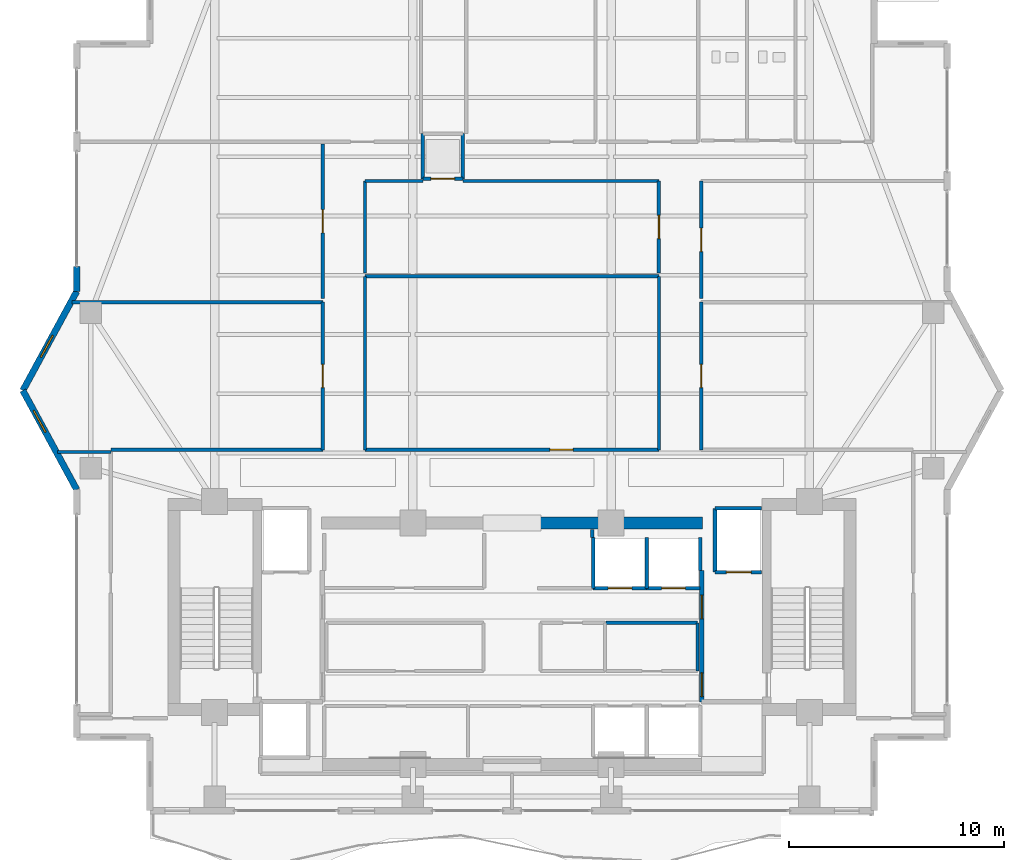
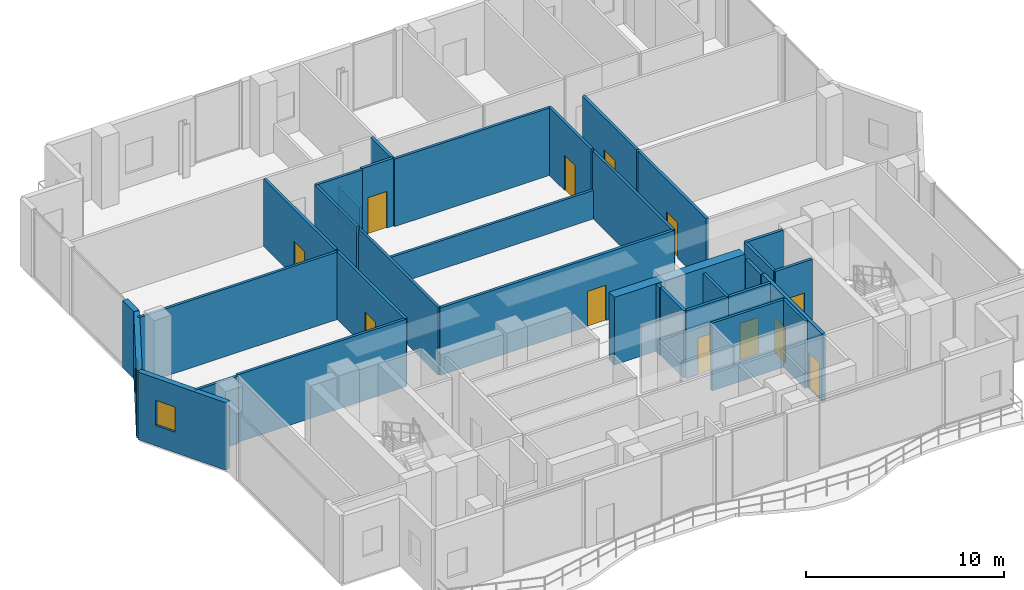
# One storey, part 18 of 24: 34 walls, 12 doors, 2 windows, 14 openings.
"""IFC4 building model written with IfcOpenShell, lengths in metres."""

from ifc_helpers import new_model, si_unit, direction, frame, frame_2d, origin, place, context, subcontext, project, spatial, rectangle, extrude, material, layer, layer_set, type_object, element, fill, save


model = new_model("IFC4")

# Units and contexts
model_context = context("Model", 3, precision=1e-05, world=origin(), true_north=direction((0.0, 1.0)))
body_context = subcontext(model_context, "Body", "Model", "MODEL_VIEW")
ifc_project = project(units=[si_unit("LENGTHUNIT", "METRE"), si_unit("AREAUNIT", "SQUARE_METRE"), si_unit("VOLUMEUNIT", "CUBIC_METRE"), si_unit("PLANEANGLEUNIT", "RADIAN"), si_unit("MASSUNIT", "GRAM", prefix="KILO")], contexts=[model_context])

# Site, building, storey
site_placement = place(None, origin())
site = spatial("IfcSite", under=ifc_project, at=site_placement, CompositionType="ELEMENT")
building_placement = place(site_placement, origin())
building = spatial("IfcBuilding", under=site, at=building_placement, Name="Zuhayl Quay Hotel", CompositionType="ELEMENT")
storey_placement = place(building_placement, frame((0.0, 0.0, 292.85009765625)))
storey = spatial("IfcBuildingStorey", under=building, at=storey_placement, Name="L74", CompositionType="ELEMENT", Elevation=292.85009765625)

# Wall
ifc_material_1 = material(Name="Concrete C50/60", Category="concrete")
ifc_layer_1 = layer(ifc_material_1, 0.550048828125, Name="Concrete C50/60", Category="concrete")
ifc_layer_set_1 = layer_set([ifc_layer_1], Name="Concrete C50/60")
wall_type_1 = type_object("IfcWallType", Name="WL_CORE_550", PredefinedType="SHEAR", material=ifc_layer_set_1)
wall_1_placement = place(storey_placement, frame((1.25, 13.35009765625, 0.0), z_axis=(0.0, 0.0, 1.0), x_axis=(1.0, 0.0, 0.0)))
element("IfcWall", 1, at=wall_1_placement, inside=storey, type_object=wall_type_1, Name="L74 Core Shear Wall CW_NC_E", PredefinedType="SHEAR", context=body_context, shape_type="SweptSolid", body=[
    extrude(rectangle(XDim=7.60009765625, YDim=0.550048828125, at=frame_2d((3.800048828125, 0.0))), origin(), (0.0, 0.0, 1.0), 4.159912109375),
])

# Wall, opening, window
ifc_material_2 = material(Name="Precast concrete C45/55", Category="concrete")
ifc_layer_2 = layer(ifc_material_2, 0.300048828125, Name="Precast concrete C45/55", Category="concrete")
ifc_layer_set_2 = layer_set([ifc_layer_2], Name="Precast concrete C45/55")
wall_type_2 = type_object("IfcWallType", Name="WL_EXT_300", PredefinedType="STANDARD", material=ifc_layer_set_2)
wall_2_placement = place(storey_placement, frame((-20.199951171875, 14.89990234375, 0.0), z_axis=(0.0, 0.0, 1.0), x_axis=(-0.477505494629, 0.878628762675, 0.0)))
wall_2 = element("IfcWall", 2, at=wall_2_placement, inside=storey, type_object=wall_type_2, Name="L74 Exterior Precast Wall ENV_L74_EW03", PredefinedType="STANDARD", context=body_context, shape_type="SweptSolid", body=[
    extrude(rectangle(XDim=5.235595703125, YDim=0.300048828125, at=frame_2d((2.61767578125, 0.0))), origin(), (0.0, 0.0, 1.0), 4.159912109375),
])
opening_1_placement = place(wall_2_placement, frame((3.0341796875, 0.0, 1.25)))
opening_1 = element("IfcOpeningElement", 3, at=opening_1_placement, cuts=wall_2, Name="Opening W01N", PredefinedType="OPENING", context=body_context, shape_type="SweptSolid", body=[
    extrude(rectangle(XDim=1.14990234375, YDim=1.550048828125, at=frame_2d((0.574951171875, 0.77490234375))), frame((0.0, 0.159912109375, 0.0), z_axis=(0.0, -1.0, 0.0), x_axis=(1.0, 0.0, 0.0)), (0.0, 0.0, 1.0), 0.320068359375),
])
ifc_material_3 = material(Name="Dark Ceramic-Fritted Solar Glass", Category="glass")
window_type = type_object("IfcWindowType", Name="WN_NOTCH_1350", PartitioningType="SINGLE_PANEL", PredefinedType="WINDOW", material=ifc_material_3)
window_1_placement = place(opening_1_placement, origin())
window_1 = element("IfcWindow", 4, at=window_1_placement, inside=storey, type_object=window_type, Name="L74 Corner Notch Window 3", OverallHeight=1.550048828125, OverallWidth=1.14990234375, PartitioningType="SINGLE_PANEL", PredefinedType="WINDOW", context=body_context, shape_type="SweptSolid", body=[
    extrude(rectangle(XDim=1.14990234375, YDim=1.550048828125, at=frame_2d((0.574951171875, 0.77490234375))), frame((0.0, 0.030029296875, 0.0), z_axis=(0.0, -1.0, 0.0), x_axis=(1.0, 0.0, 0.0)), (0.0, 0.0, 1.0), 0.06005859375),
])
fill(opening_1, window_1)

wall_3_placement = place(storey_placement, frame((-22.699951171875, 19.5, 0.0), z_axis=(0.0, 0.0, 1.0), x_axis=(0.477505494629, 0.878628762675, 0.0)))
wall_3 = element("IfcWall", 5, at=wall_3_placement, inside=storey, type_object=wall_type_2, Name="L74 Exterior Precast Wall ENV_L74_EW04", PredefinedType="STANDARD", context=body_context, shape_type="SweptSolid", body=[
    extrude(rectangle(XDim=5.235595703125, YDim=0.300048828125, at=frame_2d((2.61767578125, 0.0))), origin(), (0.0, 0.0, 1.0), 4.159912109375),
])
opening_2_placement = place(wall_3_placement, frame((1.762451171875, 0.0, 1.25)))
opening_2 = element("IfcOpeningElement", 6, at=opening_2_placement, cuts=wall_3, Name="Opening W01N", PredefinedType="OPENING", context=body_context, shape_type="SweptSolid", body=[
    extrude(rectangle(XDim=1.14990234375, YDim=1.550048828125, at=frame_2d((0.574951171875, 0.77490234375))), frame((0.0, 0.159912109375, 0.0), z_axis=(0.0, -1.0, 0.0), x_axis=(1.0, 0.0, 0.0)), (0.0, 0.0, 1.0), 0.320068359375),
])
window_2_placement = place(opening_2_placement, origin())
window_2 = element("IfcWindow", 7, at=window_2_placement, inside=storey, type_object=window_type, Name="L74 Corner Notch Window 4", OverallHeight=1.550048828125, OverallWidth=1.14990234375, PartitioningType="SINGLE_PANEL", PredefinedType="WINDOW", context=body_context, shape_type="SweptSolid", body=[
    extrude(rectangle(XDim=1.14990234375, YDim=1.550048828125, at=frame_2d((0.574951171875, 0.77490234375))), frame((0.0, 0.030029296875, 0.0), z_axis=(0.0, -1.0, 0.0), x_axis=(1.0, 0.0, 0.0)), (0.0, 0.0, 1.0), 0.06005859375),
])
fill(opening_2, window_2)

# Walls
wall_4_placement = place(storey_placement, frame((-20.199951171875, 24.10009765625, 0.0), z_axis=(0.0, 0.0, 1.0), x_axis=(0.0, 1.0, 0.0)))
element("IfcWall", 8, at=wall_4_placement, inside=storey, type_object=wall_type_2, Name="L74 Exterior Precast Wall ENV_L74_E05_EW1", PredefinedType="STANDARD", context=body_context, shape_type="SweptSolid", body=[
    extrude(rectangle(XDim=1.14990234375, YDim=0.300048828125, at=frame_2d((0.574951171875, 0.0))), origin(), (0.0, 0.0, 1.0), 4.159912109375),
])
ifc_material_4 = material(Name="Acoustic Gypsum Partition STC-58")
ifc_layer_3 = layer(ifc_material_4, 0.14990234375, Name="Acoustic Gypsum Partition STC-58")
ifc_layer_set_3 = layer_set([ifc_layer_3], Name="Acoustic Gypsum Partition STC-58")
wall_type_3 = type_object("IfcWallType", Name="WL_PART_150", PredefinedType="PARTITIONING", material=ifc_layer_set_3)
wall_5_placement = place(storey_placement, frame((4.3701171875, 8.719970703125, 0.0), z_axis=(0.0, 0.0, 1.0), x_axis=(1.0, 0.0, 0.0)))
element("IfcWall", 9, at=wall_5_placement, inside=storey, type_object=wall_type_3, Name="L74 Partition IW_L74_CORE_LN_N", PredefinedType="PARTITIONING", context=body_context, shape_type="SweptSolid", body=[
    extrude(rectangle(XDim=4.239990234375, YDim=0.14990234375, at=frame_2d((2.1201171875, 0.0))), origin(), (0.0, 0.0, 1.0), 4.159912109375),
])
wall_6_placement = place(storey_placement, frame((8.610107421875, 6.47998046875, 0.0), z_axis=(0.0, 0.0, 1.0), x_axis=(0.0, 1.0, 0.0)))
element("IfcWall", 10, at=wall_6_placement, inside=storey, type_object=wall_type_3, Name="L74 Partition IW_L74_CORE_LN_E", PredefinedType="PARTITIONING", context=body_context, shape_type="SweptSolid", body=[
    extrude(rectangle(XDim=2.239990234375, YDim=0.14990234375, at=frame_2d((1.1201171875, 0.0))), origin(), (0.0, 0.0, 1.0), 4.159912109375),
])
wall_7_placement = place(storey_placement, frame((3.719970703125, 12.679931640625, 0.0), z_axis=(0.0, 0.0, 1.0), x_axis=(0.0, 1.0, 0.0)))
element("IfcWall", 11, at=wall_7_placement, inside=storey, type_object=wall_type_3, Name="L74 Partition IW_L74_VEST_MP4_E", PredefinedType="PARTITIONING", context=body_context, shape_type="SweptSolid", body=[
    extrude(rectangle(XDim=0.3701171875, YDim=0.14990234375, at=frame_2d((0.18505859375, 0.0))), origin(), (0.0, 0.0, 1.0), 4.159912109375),
])
wall_8_placement = place(storey_placement, frame((-21.091064453125, 16.64990234375, 0.0), z_axis=(0.0, 0.0, 1.0), x_axis=(1.0, 0.0, 0.0)))
element("IfcWall", 12, at=wall_8_placement, inside=storey, type_object=wall_type_3, Name="L74 Partition IW_L74_PROW_ST_W_N", PredefinedType="PARTITIONING", context=body_context, shape_type="SweptSolid", body=[
    extrude(rectangle(XDim=2.470947265625, YDim=0.14990234375, at=frame_2d((1.2353515625, 0.0))), origin(), (0.0, 0.0, 1.0), 4.159912109375),
])
wall_9_placement = place(storey_placement, frame((-6.820068359375, 24.800048828125, 0.0), z_axis=(0.0, 0.0, 1.0), x_axis=(1.0, 0.0, 0.0)))
element("IfcWall", 13, at=wall_9_placement, inside=storey, type_object=wall_type_3, Name="L74 Partition IW_L74_EXHIB_S_N", PredefinedType="PARTITIONING", context=body_context, shape_type="SweptSolid", body=[
    extrude(rectangle(XDim=13.64013671875, YDim=0.14990234375, at=frame_2d((6.820068359375, 0.0))), origin(), (0.0, 0.0, 1.0), 1.760009765625),
])
for number, where, z_axis, x_axis, name in (
    (14, (-6.820068359375, 16.75, 0.0), (0.0, 0.0, 1.0), (0.0, 1.0, 0.0), "L74 Partition IW_L74_EXHIB_S_W"),
    (15, (6.820068359375, 16.75, 0.0), (0.0, 0.0, 1.0), (0.0, 1.0, 0.0), "L74 Partition IW_L74_EXHIB_S_E"),
):
    element("IfcWall", number, at=place(storey_placement, frame(where, z_axis=z_axis, x_axis=x_axis)), inside=storey, type_object=wall_type_3, Name=name, PredefinedType="PARTITIONING", context=body_context, shape_type="SweptSolid", body=[
        extrude(rectangle(XDim=8.050048828125, YDim=0.14990234375, at=frame_2d((4.02490234375, 0.0))), origin(), (0.0, 0.0, 1.0), 4.159912109375),
    ])
wall_10_placement = place(storey_placement, frame((-6.820068359375, 29.219970703125, 0.0), z_axis=(0.0, 0.0, 1.0), x_axis=(1.0, 0.0, 0.0)))
element("IfcWall", 16, at=wall_10_placement, inside=storey, type_object=wall_type_3, Name="L74 Partition IW_L74_EXHIB_E_N_S1", PredefinedType="PARTITIONING", context=body_context, shape_type="SweptSolid", body=[
    extrude(rectangle(XDim=2.68017578125, YDim=0.14990234375, at=frame_2d((1.340087890625, 0.0))), origin(), (0.0, 0.0, 1.0), 4.159912109375),
])
wall_11_placement = place(storey_placement, frame((-2.280029296875, 29.219970703125, 0.0), z_axis=(0.0, 0.0, 1.0), x_axis=(1.0, 0.0, 0.0)))
element("IfcWall", 17, at=wall_11_placement, inside=storey, type_object=wall_type_3, Name="L74 Partition IW_L74_EXHIB_E_N_S2", PredefinedType="PARTITIONING", context=body_context, shape_type="SweptSolid", body=[
    extrude(rectangle(XDim=9.10009765625, YDim=0.14990234375, at=frame_2d((4.550048828125, 0.0))), origin(), (0.0, 0.0, 1.0), 4.159912109375),
])
wall_12_placement = place(storey_placement, frame((-6.820068359375, 24.9599609375, 0.0), z_axis=(0.0, 0.0, 1.0), x_axis=(0.0, 1.0, 0.0)))
element("IfcWall", 18, at=wall_12_placement, inside=storey, type_object=wall_type_3, Name="L74 Partition IW_L74_EXHIB_E_W", PredefinedType="PARTITIONING", context=body_context, shape_type="SweptSolid", body=[
    extrude(rectangle(XDim=4.260009765625, YDim=0.14990234375, at=frame_2d((2.1298828125, 0.0))), origin(), (0.0, 0.0, 1.0), 4.159912109375),
])
wall_13_placement = place(storey_placement, frame((-18.6201171875, 16.75, 0.0), z_axis=(0.0, 0.0, 1.0), x_axis=(1.0, 0.0, 0.0)))
element("IfcWall", 19, at=wall_13_placement, inside=storey, type_object=wall_type_3, Name="L74 Partition IW_L74_WEST_V1_S", PredefinedType="PARTITIONING", context=body_context, shape_type="SweptSolid", body=[
    extrude(rectangle(XDim=9.840087890625, YDim=0.14990234375, at=frame_2d((4.919921875, 0.0))), origin(), (0.0, 0.0, 1.0), 4.159912109375),
])
wall_14_placement = place(storey_placement, frame((-20.41162109375, 23.60009765625, 0.0), z_axis=(0.0, 0.0, 1.0), x_axis=(1.0, 0.0, 0.0)))
element("IfcWall", 20, at=wall_14_placement, inside=storey, type_object=wall_type_3, Name="L74 Partition IW_L74_WEST_V1_N", PredefinedType="PARTITIONING", context=body_context, shape_type="SweptSolid", body=[
    extrude(rectangle(XDim=11.631591796875, YDim=0.14990234375, at=frame_2d((5.81591796875, 0.0))), origin(), (0.0, 0.0, 1.0), 4.159912109375),
])

# Wall, opening, door
ifc_layer_4 = layer(ifc_material_4, 0.159912109375, Name="Acoustic Gypsum Partition STC-58")
ifc_layer_set_4 = layer_set([ifc_layer_4], Name="Acoustic Gypsum Partition STC-58")
wall_type_4 = type_object("IfcWallType", Name="WL_PART_CORR_160", PredefinedType="PARTITIONING", material=ifc_layer_set_4)
wall_15_placement = place(storey_placement, frame((-6.820068359375, 16.75, 0.0), z_axis=(0.0, 0.0, 1.0), x_axis=(1.0, 0.0, 0.0)))
wall_15 = element("IfcWall", 21, at=wall_15_placement, inside=storey, type_object=wall_type_4, Name="L74 Partition IW_L74_EXHIB_S_S", PredefinedType="PARTITIONING", context=body_context, shape_type="SweptSolid", body=[
    extrude(rectangle(XDim=13.64013671875, YDim=0.159912109375, at=frame_2d((6.820068359375, 0.0))), origin(), (0.0, 0.0, 1.0), 4.159912109375),
])
opening_3_placement = place(wall_15_placement, frame((8.580078125, 0.0, 0.0)))
opening_3 = element("IfcOpeningElement", 22, at=opening_3_placement, cuts=wall_15, Name="Opening D05A", PredefinedType="OPENING", context=body_context, shape_type="SweptSolid", body=[
    extrude(rectangle(XDim=1.080078125, YDim=2.179931640625, at=frame_2d((0.5400390625, 1.08984375))), frame((0.0, 0.08984375, 0.0), z_axis=(0.0, -1.0, 0.0), x_axis=(1.0, 0.0, 0.0)), (0.0, 0.0, 1.0), 0.179931640625),
])
ifc_material_5 = material(Name="Solid Walnut Acoustic Fire Door")
door_type_1 = type_object("IfcDoorType", Name="DR_INT_1100", OperationType="NOTDEFINED", PredefinedType="DOOR", material=ifc_material_5)
door_1_placement = place(opening_3_placement, origin())
door_1 = element("IfcDoor", 23, at=door_1_placement, inside=storey, type_object=door_type_1, Name="L74 Meteorological Telemetry Office Door", OperationType="SINGLE_SWING_LEFT", OverallHeight=2.179931640625, OverallWidth=1.080078125, PredefinedType="DOOR", context=body_context, shape_type="SweptSolid", body=[
    extrude(rectangle(XDim=1.080078125, YDim=2.179931640625, at=frame_2d((0.5400390625, 1.08984375))), frame((0.0, 0.02490234375, 0.0), z_axis=(0.0, -1.0, 0.0), x_axis=(1.0, 0.0, 0.0)), (0.0, 0.0, 1.0), 0.050048828125),
])
fill(opening_3, door_1)

wall_16_placement = place(storey_placement, frame((6.820068359375, 24.9599609375, 0.0), z_axis=(0.0, 0.0, 1.0), x_axis=(0.0, 1.0, 0.0)))
wall_16 = element("IfcWall", 24, at=wall_16_placement, inside=storey, type_object=wall_type_4, Name="L74 Partition IW_L74_EXHIB_E_E", PredefinedType="PARTITIONING", context=body_context, shape_type="SweptSolid", body=[
    extrude(rectangle(XDim=4.260009765625, YDim=0.159912109375, at=frame_2d((2.1298828125, 0.0))), origin(), (0.0, 0.0, 1.0), 4.159912109375),
])
opening_4_placement = place(wall_16_placement, frame((1.590087890625, 0.0, 0.0)))
opening_4 = element("IfcOpeningElement", 25, at=opening_4_placement, cuts=wall_16, Name="Opening D05A", PredefinedType="OPENING", context=body_context, shape_type="SweptSolid", body=[
    extrude(rectangle(XDim=1.080078125, YDim=2.179931640625, at=frame_2d((0.5400390625, 1.08984375))), frame((0.0, 0.08984375, 0.0), z_axis=(0.0, -1.0, 0.0), x_axis=(1.0, 0.0, 0.0)), (0.0, 0.0, 1.0), 0.179931640625),
])
door_2_placement = place(opening_4_placement, origin())
door_2 = element("IfcDoor", 26, at=door_2_placement, inside=storey, type_object=door_type_1, Name="L74 Sky Map and Model Salon Door", OperationType="SINGLE_SWING_RIGHT", OverallHeight=2.179931640625, OverallWidth=1.080078125, PredefinedType="DOOR", context=body_context, shape_type="SweptSolid", body=[
    extrude(rectangle(XDim=1.080078125, YDim=2.179931640625, at=frame_2d((0.5400390625, 1.08984375))), frame((0.0, 0.02490234375, 0.0), z_axis=(0.0, -1.0, 0.0), x_axis=(1.0, 0.0, 0.0)), (0.0, 0.0, 1.0), 0.050048828125),
])
fill(opening_4, door_2)

wall_17_placement = place(storey_placement, frame((-8.780029296875, 16.75, 0.0), z_axis=(0.0, 0.0, 1.0), x_axis=(0.0, 1.0, 0.0)))
wall_17 = element("IfcWall", 27, at=wall_17_placement, inside=storey, type_object=wall_type_4, Name="L74 Partition IW_L74_WEST_V1_E", PredefinedType="PARTITIONING", context=body_context, shape_type="SweptSolid", body=[
    extrude(rectangle(XDim=6.85009765625, YDim=0.159912109375, at=frame_2d((3.425048828125, 0.0))), origin(), (0.0, 0.0, 1.0), 4.159912109375),
])
opening_5_placement = place(wall_17_placement, frame((2.885009765625, 0.0, 0.0)))
opening_5 = element("IfcOpeningElement", 28, at=opening_5_placement, cuts=wall_17, Name="Opening D05A", PredefinedType="OPENING", context=body_context, shape_type="SweptSolid", body=[
    extrude(rectangle(XDim=1.080078125, YDim=2.179931640625, at=frame_2d((0.5400390625, 1.08984375))), frame((0.0, 0.08984375, 0.0), z_axis=(0.0, -1.0, 0.0), x_axis=(1.0, 0.0, 0.0)), (0.0, 0.0, 1.0), 0.179931640625),
])
door_3_placement = place(opening_5_placement, origin())
door_3 = element("IfcDoor", 29, at=door_3_placement, inside=storey, type_object=door_type_1, Name="L74 Observatory Operations Office Door", OperationType="SINGLE_SWING_LEFT", OverallHeight=2.179931640625, OverallWidth=1.080078125, PredefinedType="DOOR", context=body_context, shape_type="SweptSolid", body=[
    extrude(rectangle(XDim=1.080078125, YDim=2.179931640625, at=frame_2d((0.5400390625, 1.08984375))), frame((0.0, 0.02490234375, 0.0), z_axis=(0.0, -1.0, 0.0), x_axis=(1.0, 0.0, 0.0)), (0.0, 0.0, 1.0), 0.050048828125),
])
fill(opening_5, door_3)

wall_18_placement = place(storey_placement, frame((-8.780029296875, 23.760009765625, 0.0), z_axis=(0.0, 0.0, 1.0), x_axis=(0.0, 1.0, 0.0)))
wall_18 = element("IfcWall", 30, at=wall_18_placement, inside=storey, type_object=wall_type_4, Name="L74 Partition IW_L74_WEST_V2_E", PredefinedType="PARTITIONING", context=body_context, shape_type="SweptSolid", body=[
    extrude(rectangle(XDim=7.18994140625, YDim=0.159912109375, at=frame_2d((3.594970703125, 0.0))), origin(), (0.0, 0.0, 1.0), 4.159912109375),
])
opening_6_placement = place(wall_18_placement, frame((3.054931640625, 0.0, 0.0)))
opening_6 = element("IfcOpeningElement", 31, at=opening_6_placement, cuts=wall_18, Name="Opening D05A", PredefinedType="OPENING", context=body_context, shape_type="SweptSolid", body=[
    extrude(rectangle(XDim=1.080078125, YDim=2.179931640625, at=frame_2d((0.5400390625, 1.08984375))), frame((0.0, 0.08984375, 0.0), z_axis=(0.0, -1.0, 0.0), x_axis=(1.0, 0.0, 0.0)), (0.0, 0.0, 1.0), 0.179931640625),
])
door_4_placement = place(opening_6_placement, origin())
door_4 = element("IfcDoor", 32, at=door_4_placement, inside=storey, type_object=door_type_1, Name="L74 Astronomy Lecture Room Door", OperationType="SINGLE_SWING_RIGHT", OverallHeight=2.179931640625, OverallWidth=1.080078125, PredefinedType="DOOR", context=body_context, shape_type="SweptSolid", body=[
    extrude(rectangle(XDim=1.080078125, YDim=2.179931640625, at=frame_2d((0.5400390625, 1.08984375))), frame((0.0, 0.02490234375, 0.0), z_axis=(0.0, -1.0, 0.0), x_axis=(1.0, 0.0, 0.0)), (0.0, 0.0, 1.0), 0.050048828125),
])
fill(opening_6, door_4)

wall_19_placement = place(storey_placement, frame((8.780029296875, 16.75, 0.0), z_axis=(0.0, 0.0, 1.0), x_axis=(0.0, 1.0, 0.0)))
wall_19 = element("IfcWall", 33, at=wall_19_placement, inside=storey, type_object=wall_type_4, Name="L74 Partition IW_L74_EAST_OFF1_W", PredefinedType="PARTITIONING", context=body_context, shape_type="SweptSolid", body=[
    extrude(rectangle(XDim=6.85009765625, YDim=0.159912109375, at=frame_2d((3.425048828125, 0.0))), origin(), (0.0, 0.0, 1.0), 4.159912109375),
])
opening_7_placement = place(wall_19_placement, frame((2.885009765625, 0.0, 0.0)))
opening_7 = element("IfcOpeningElement", 34, at=opening_7_placement, cuts=wall_19, Name="Opening D05A", PredefinedType="OPENING", context=body_context, shape_type="SweptSolid", body=[
    extrude(rectangle(XDim=1.080078125, YDim=2.179931640625, at=frame_2d((0.5400390625, 1.08984375))), frame((0.0, 0.08984375, 0.0), z_axis=(0.0, -1.0, 0.0), x_axis=(1.0, 0.0, 0.0)), (0.0, 0.0, 1.0), 0.179931640625),
])
door_5_placement = place(opening_7_placement, origin())
door_5 = element("IfcDoor", 35, at=door_5_placement, inside=storey, type_object=door_type_1, Name="L74 Observatory Curatorial Office Door", OperationType="SINGLE_SWING_LEFT", OverallHeight=2.179931640625, OverallWidth=1.080078125, PredefinedType="DOOR", context=body_context, shape_type="SweptSolid", body=[
    extrude(rectangle(XDim=1.080078125, YDim=2.179931640625, at=frame_2d((0.5400390625, 1.08984375))), frame((0.0, 0.02490234375, 0.0), z_axis=(0.0, -1.0, 0.0), x_axis=(1.0, 0.0, 0.0)), (0.0, 0.0, 1.0), 0.050048828125),
])
fill(opening_7, door_5)

wall_20_placement = place(storey_placement, frame((8.780029296875, 23.760009765625, 0.0), z_axis=(0.0, 0.0, 1.0), x_axis=(0.0, 1.0, 0.0)))
wall_20 = element("IfcWall", 36, at=wall_20_placement, inside=storey, type_object=wall_type_4, Name="L74 Partition IW_L74_EAST_OFF2_W", PredefinedType="PARTITIONING", context=body_context, shape_type="SweptSolid", body=[
    extrude(rectangle(XDim=5.4599609375, YDim=0.159912109375, at=frame_2d((2.72998046875, 0.0))), origin(), (0.0, 0.0, 1.0), 4.159912109375),
])
opening_8_placement = place(wall_20_placement, frame((2.18994140625, 0.0, 0.0)))
opening_8 = element("IfcOpeningElement", 37, at=opening_8_placement, cuts=wall_20, Name="Opening D05A", PredefinedType="OPENING", context=body_context, shape_type="SweptSolid", body=[
    extrude(rectangle(XDim=1.080078125, YDim=2.179931640625, at=frame_2d((0.5400390625, 1.08984375))), frame((0.0, 0.08984375, 0.0), z_axis=(0.0, -1.0, 0.0), x_axis=(1.0, 0.0, 0.0)), (0.0, 0.0, 1.0), 0.179931640625),
])
door_6_placement = place(opening_8_placement, origin())
door_6 = element("IfcDoor", 38, at=door_6_placement, inside=storey, type_object=door_type_1, Name="L74 Observatory Administration Office Door", OperationType="SINGLE_SWING_RIGHT", OverallHeight=2.179931640625, OverallWidth=1.080078125, PredefinedType="DOOR", context=body_context, shape_type="SweptSolid", body=[
    extrude(rectangle(XDim=1.080078125, YDim=2.179931640625, at=frame_2d((0.5400390625, 1.08984375))), frame((0.0, 0.02490234375, 0.0), z_axis=(0.0, -1.0, 0.0), x_axis=(1.0, 0.0, 0.0)), (0.0, 0.0, 1.0), 0.050048828125),
])
fill(opening_8, door_6)

ifc_material_6 = material(Name="Gypsum Fireboard Assembly EI-90")
ifc_layer_5 = layer(ifc_material_6, 0.1650390625, Name="Gypsum Fireboard Assembly EI-90")
ifc_layer_set_5 = layer_set([ifc_layer_5], Name="Gypsum Fireboard Assembly EI-90")
wall_type_5 = type_object("IfcWallType", Name="WL_PART_SHAFT_160", PredefinedType="PARTITIONING", material=ifc_layer_set_5)
wall_21_placement = place(storey_placement, frame((9.419921875, 11.070068359375, 0.0), z_axis=(0.0, 0.0, 1.0), x_axis=(1.0, 0.0, 0.0)))
wall_21 = element("IfcWall", 39, at=wall_21_placement, inside=storey, type_object=wall_type_5, Name="L74 Partition IW_L74_SH_FL2_F", PredefinedType="PARTITIONING", context=body_context, shape_type="SweptSolid", body=[
    extrude(rectangle(XDim=2.16015625, YDim=0.1650390625, at=frame_2d((1.080078125, 0.0))), origin(), (0.0, 0.0, 1.0), 4.159912109375),
])
opening_9_placement = place(wall_21_placement, frame((0.530029296875, 0.0, 0.0)))
opening_9 = element("IfcOpeningElement", 40, at=opening_9_placement, cuts=wall_21, Name="Opening LD2", PredefinedType="OPENING", context=body_context, shape_type="SweptSolid", body=[
    extrude(rectangle(XDim=1.14990234375, YDim=2.25, at=frame_2d((0.574951171875, 1.125))), frame((0.0, 0.092529296875, 0.0), z_axis=(0.0, -1.0, 0.0), x_axis=(1.0, 0.0, 0.0)), (0.0, 0.0, 1.0), 0.18505859375),
])
ifc_material_7 = material(Name="Brushed Stainless Steel", Category="steel")
door_type_2 = type_object("IfcDoorType", Name="DR_LIFT_FF_1100", OperationType="SLIDING_TO_LEFT", PredefinedType="DOOR", material=ifc_material_7)
door_7_placement = place(opening_9_placement, origin())
door_7 = element("IfcDoor", 41, at=door_7_placement, inside=storey, type_object=door_type_2, Name="L74 Lift FL2 Sliding Landing Door", OperationType="SLIDING_TO_LEFT", OverallHeight=2.25, OverallWidth=1.14990234375, PredefinedType="DOOR", context=body_context, shape_type="SweptSolid", body=[
    extrude(rectangle(XDim=1.14990234375, YDim=2.25, at=frame_2d((0.574951171875, 1.125))), frame((0.0, 0.02490234375, 0.0), z_axis=(0.0, -1.0, 0.0), x_axis=(1.0, 0.0, 0.0)), (0.0, 0.0, 1.0), 0.050048828125),
])
fill(opening_9, door_7)

wall_22_placement = place(storey_placement, frame((3.77001953125, 10.320068359375, 0.0), z_axis=(0.0, 0.0, 1.0), x_axis=(1.0, 0.0, 0.0)))
wall_22 = element("IfcWall", 42, at=wall_22_placement, inside=storey, type_object=wall_type_5, Name="L74 Partition IW_L74_SH_HP3_F", PredefinedType="PARTITIONING", context=body_context, shape_type="SweptSolid", body=[
    extrude(rectangle(XDim=2.47998046875, YDim=0.1650390625, at=frame_2d((1.239990234375, 0.0))), origin(), (0.0, 0.0, 1.0), 4.159912109375),
])
opening_10_placement = place(wall_22_placement, frame((0.68994140625, 0.0, 0.0)))
opening_10 = element("IfcOpeningElement", 43, at=opening_10_placement, cuts=wall_22, Name="Opening LD1", PredefinedType="OPENING", context=body_context, shape_type="SweptSolid", body=[
    extrude(rectangle(XDim=1.10009765625, YDim=2.25, at=frame_2d((0.550048828125, 1.125))), frame((0.0, 0.092529296875, 0.0), z_axis=(0.0, -1.0, 0.0), x_axis=(1.0, 0.0, 0.0)), (0.0, 0.0, 1.0), 0.18505859375),
])
door_type_3 = type_object("IfcDoorType", Name="DR_LIFT_PASS_1100", OperationType="SLIDING_TO_LEFT", PredefinedType="DOOR", material=ifc_material_7)
door_8_placement = place(opening_10_placement, origin())
door_8 = element("IfcDoor", 44, at=door_8_placement, inside=storey, type_object=door_type_3, Name="L74 Lift HP3 Sliding Landing Door", OperationType="SLIDING_TO_LEFT", OverallHeight=2.25, OverallWidth=1.10009765625, PredefinedType="DOOR", context=body_context, shape_type="SweptSolid", body=[
    extrude(rectangle(XDim=1.10009765625, YDim=2.25, at=frame_2d((0.550048828125, 1.125))), frame((0.0, 0.02490234375, 0.0), z_axis=(0.0, -1.0, 0.0), x_axis=(1.0, 0.0, 0.0)), (0.0, 0.0, 1.0), 0.050048828125),
])
fill(opening_10, door_8)

wall_23_placement = place(storey_placement, frame((6.25, 10.320068359375, 0.0), z_axis=(0.0, 0.0, 1.0), x_axis=(1.0, 0.0, 0.0)))
wall_23 = element("IfcWall", 45, at=wall_23_placement, inside=storey, type_object=wall_type_5, Name="L74 Partition IW_L74_SH_HP4_F", PredefinedType="PARTITIONING", context=body_context, shape_type="SweptSolid", body=[
    extrude(rectangle(XDim=2.47998046875, YDim=0.1650390625, at=frame_2d((1.239990234375, 0.0))), origin(), (0.0, 0.0, 1.0), 4.159912109375),
])
opening_11_placement = place(wall_23_placement, frame((0.68994140625, 0.0, 0.0)))
opening_11 = element("IfcOpeningElement", 46, at=opening_11_placement, cuts=wall_23, Name="Opening LD1", PredefinedType="OPENING", context=body_context, shape_type="SweptSolid", body=[
    extrude(rectangle(XDim=1.10009765625, YDim=2.25, at=frame_2d((0.550048828125, 1.125))), frame((0.0, 0.092529296875, 0.0), z_axis=(0.0, -1.0, 0.0), x_axis=(1.0, 0.0, 0.0)), (0.0, 0.0, 1.0), 0.18505859375),
])
door_9_placement = place(opening_11_placement, origin())
door_9 = element("IfcDoor", 47, at=door_9_placement, inside=storey, type_object=door_type_3, Name="L74 Lift HP4 Sliding Landing Door", OperationType="SLIDING_TO_LEFT", OverallHeight=2.25, OverallWidth=1.10009765625, PredefinedType="DOOR", context=body_context, shape_type="SweptSolid", body=[
    extrude(rectangle(XDim=1.10009765625, YDim=2.25, at=frame_2d((0.550048828125, 1.125))), frame((0.0, 0.02490234375, 0.0), z_axis=(0.0, -1.0, 0.0), x_axis=(1.0, 0.0, 0.0)), (0.0, 0.0, 1.0), 0.050048828125),
])
fill(opening_11, door_9)

wall_24_placement = place(storey_placement, frame((-4.139892578125, 29.320068359375, 0.0), z_axis=(0.0, 0.0, 1.0), x_axis=(1.0, 0.0, 0.0)))
wall_24 = element("IfcWall", 48, at=wall_24_placement, inside=storey, type_object=wall_type_5, Name="L74 Partition IW_L74_SH_CLF1_F", PredefinedType="PARTITIONING", context=body_context, shape_type="SweptSolid", body=[
    extrude(rectangle(XDim=1.85986328125, YDim=0.1650390625, at=frame_2d((0.929931640625, 0.0))), origin(), (0.0, 0.0, 1.0), 4.159912109375),
])
opening_12_placement = place(wall_24_placement, frame((0.3798828125, 0.0, 0.0)))
opening_12 = element("IfcOpeningElement", 49, at=opening_12_placement, cuts=wall_24, Name="Opening LD1", PredefinedType="OPENING", context=body_context, shape_type="SweptSolid", body=[
    extrude(rectangle(XDim=1.10009765625, YDim=2.25, at=frame_2d((0.550048828125, 1.125))), frame((0.0, 0.092529296875, 0.0), z_axis=(0.0, -1.0, 0.0), x_axis=(1.0, 0.0, 0.0)), (0.0, 0.0, 1.0), 0.18505859375),
])
door_10_placement = place(opening_12_placement, origin())
door_10 = element("IfcDoor", 50, at=door_10_placement, inside=storey, type_object=door_type_3, Name="L74 Lift CLF1 Sliding Landing Door", OperationType="SLIDING_TO_LEFT", OverallHeight=2.25, OverallWidth=1.10009765625, PredefinedType="DOOR", context=body_context, shape_type="SweptSolid", body=[
    extrude(rectangle(XDim=1.10009765625, YDim=2.25, at=frame_2d((0.550048828125, 1.125))), frame((0.0, 0.02490234375, 0.0), z_axis=(0.0, -1.0, 0.0), x_axis=(1.0, 0.0, 0.0)), (0.0, 0.0, 1.0), 0.050048828125),
])
fill(opening_12, door_10)

# Walls
wall_25_placement = place(storey_placement, frame((9.419921875, 11.070068359375, 0.0), z_axis=(0.0, 0.0, 1.0), x_axis=(0.0, 1.0, 0.0)))
element("IfcWall", 51, at=wall_25_placement, inside=storey, type_object=wall_type_5, Name="L74 Partition IW_L74_SH_FL2_W", PredefinedType="PARTITIONING", context=body_context, shape_type="SweptSolid", body=[
    extrude(rectangle(XDim=2.9599609375, YDim=0.1650390625, at=frame_2d((1.47998046875, 0.0))), origin(), (0.0, 0.0, 1.0), 4.159912109375),
])
wall_26_placement = place(storey_placement, frame((9.419921875, 14.030029296875, 0.0), z_axis=(0.0, 0.0, 1.0), x_axis=(1.0, 0.0, 0.0)))
element("IfcWall", 52, at=wall_26_placement, inside=storey, type_object=wall_type_5, Name="L74 Partition IW_L74_SH_FL2_B", PredefinedType="PARTITIONING", context=body_context, shape_type="SweptSolid", body=[
    extrude(rectangle(XDim=2.16015625, YDim=0.1650390625, at=frame_2d((1.080078125, 0.0))), origin(), (0.0, 0.0, 1.0), 4.159912109375),
])
for number, where, z_axis, x_axis, name in (
    (53, (3.77001953125, 10.320068359375, 0.0), (0.0, 0.0, 1.0), (0.0, 1.0, 0.0), "L74 Partition IW_L74_SH_HP3_W"),
    (54, (6.25, 10.320068359375, 0.0), (0.0, 0.0, 1.0), (0.0, 1.0, 0.0), "L74 Partition IW_L74_SH_HP3_E"),
):
    element("IfcWall", number, at=place(storey_placement, frame(where, z_axis=z_axis, x_axis=x_axis)), inside=storey, type_object=wall_type_5, Name=name, PredefinedType="PARTITIONING", context=body_context, shape_type="SweptSolid", body=[
        extrude(rectangle(XDim=2.35986328125, YDim=0.1650390625, at=frame_2d((1.179931640625, 0.0))), origin(), (0.0, 0.0, 1.0), 4.159912109375),
    ])
wall_27_placement = place(storey_placement, frame((8.72998046875, 11.14990234375, 0.0), z_axis=(0.0, 0.0, 1.0), x_axis=(0.0, 1.0, 0.0)))
element("IfcWall", 55, at=wall_27_placement, inside=storey, type_object=wall_type_5, Name="L74 Partition IW_L74_SH_HP4_E", PredefinedType="PARTITIONING", context=body_context, shape_type="SweptSolid", body=[
    extrude(rectangle(XDim=1.530029296875, YDim=0.1650390625, at=frame_2d((0.76513671875, 0.0))), origin(), (0.0, 0.0, 1.0), 4.159912109375),
])
wall_28_placement = place(storey_placement, frame((-4.139892578125, 29.320068359375, 0.0), z_axis=(0.0, 0.0, 1.0), x_axis=(0.0, 1.0, 0.0)))
element("IfcWall", 56, at=wall_28_placement, inside=storey, type_object=wall_type_5, Name="L74 Partition IW_L74_SH_CLF1_W", PredefinedType="PARTITIONING", context=body_context, shape_type="SweptSolid", body=[
    extrude(rectangle(XDim=2.099853515625, YDim=0.1650390625, at=frame_2d((1.0498046875, 0.0))), origin(), (0.0, 0.0, 1.0), 1.760009765625),
])
wall_29_placement = place(storey_placement, frame((-2.280029296875, 29.320068359375, 0.0), z_axis=(0.0, 0.0, 1.0), x_axis=(0.0, 1.0, 0.0)))
element("IfcWall", 57, at=wall_29_placement, inside=storey, type_object=wall_type_5, Name="L74 Partition IW_L74_SH_CLF1_E", PredefinedType="PARTITIONING", context=body_context, shape_type="SweptSolid", body=[
    extrude(rectangle(XDim=2.099853515625, YDim=0.1650390625, at=frame_2d((1.0498046875, 0.0))), origin(), (0.0, 0.0, 1.0), 4.159912109375),
])

# Wall, openings, doors
ifc_material_8 = material(Name="Gypsum Fireboard Assembly EI-120")
ifc_layer_6 = layer(ifc_material_8, 0.199951171875, Name="Gypsum Fireboard Assembly EI-120")
ifc_layer_set_6 = layer_set([ifc_layer_6], Name="Gypsum Fireboard Assembly EI-120")
wall_type_6 = type_object("IfcWallType", Name="WL_PART_SHAFT_200", PredefinedType="PARTITIONING", material=ifc_layer_set_6)
wall_30_placement = place(storey_placement, frame((8.800048828125, 11.14990234375, 0.0), z_axis=(0.0, 0.0, 1.0), x_axis=(0.0, -1.0, 0.0)))
wall_30 = element("IfcWall", 58, at=wall_30_placement, inside=storey, type_object=wall_type_6, Name="L74 Partition IW_L74_FSAE_E_W", PredefinedType="PARTITIONING", context=body_context, shape_type="SweptSolid", body=[
    extrude(rectangle(XDim=6.099853515625, YDim=0.199951171875, at=frame_2d((3.0498046875, 0.0))), origin(), (0.0, 0.0, 1.0), 4.159912109375),
])
opening_13_placement = place(wall_30_placement, frame((1.14990234375, 0.0, 0.0)))
opening_13 = element("IfcOpeningElement", 59, at=opening_13_placement, cuts=wall_30, Name="Opening D02", PredefinedType="OPENING", context=body_context, shape_type="SweptSolid", body=[
    extrude(rectangle(XDim=1.10009765625, YDim=2.199951171875, at=frame_2d((0.550048828125, 1.10009765625))), frame((0.0, 0.10986328125, 0.0), z_axis=(0.0, -1.0, 0.0), x_axis=(1.0, 0.0, 0.0)), (0.0, 0.0, 1.0), 0.219970703125),
])
opening_14_placement = place(wall_30_placement, frame((4.75, 0.0, 0.0)))
opening_14 = element("IfcOpeningElement", 60, at=opening_14_placement, cuts=wall_30, Name="Opening D02", PredefinedType="OPENING", context=body_context, shape_type="SweptSolid", body=[
    extrude(rectangle(XDim=1.10009765625, YDim=2.199951171875, at=frame_2d((0.550048828125, 1.10009765625))), frame((0.0, 0.10986328125, 0.0), z_axis=(0.0, -1.0, 0.0), x_axis=(1.0, 0.0, 0.0)), (0.0, 0.0, 1.0), 0.219970703125),
])
ifc_material_9 = material(Name="Steel ASTM A992 Grade 50", Category="steel")
door_type_4 = type_object("IfcDoorType", Name="DR_FIRE_90_1100", OperationType="NOTDEFINED", PredefinedType="DOOR", material=ifc_material_9)
door_11_placement = place(opening_13_placement, origin())
door_11 = element("IfcDoor", 61, at=door_11_placement, inside=storey, type_object=door_type_4, Name="L74 FSAE Lobby East North Entry Door", OperationType="SINGLE_SWING_LEFT", OverallHeight=2.199951171875, OverallWidth=1.10009765625, PredefinedType="DOOR", context=body_context, shape_type="SweptSolid", body=[
    extrude(rectangle(XDim=1.10009765625, YDim=2.199951171875, at=frame_2d((0.550048828125, 1.10009765625))), frame((0.0, 0.02490234375, 0.0), z_axis=(0.0, -1.0, 0.0), x_axis=(1.0, 0.0, 0.0)), (0.0, 0.0, 1.0), 0.050048828125),
])
fill(opening_13, door_11)
door_12_placement = place(opening_14_placement, origin())
door_12 = element("IfcDoor", 62, at=door_12_placement, inside=storey, type_object=door_type_4, Name="L74 FSAE Lobby East South Entry Door", OperationType="SINGLE_SWING_RIGHT", OverallHeight=2.199951171875, OverallWidth=1.10009765625, PredefinedType="DOOR", context=body_context, shape_type="SweptSolid", body=[
    extrude(rectangle(XDim=1.10009765625, YDim=2.199951171875, at=frame_2d((0.550048828125, 1.10009765625))), frame((0.0, 0.02490234375, 0.0), z_axis=(0.0, -1.0, 0.0), x_axis=(1.0, 0.0, 0.0)), (0.0, 0.0, 1.0), 0.050048828125),
])
fill(opening_14, door_12)

save(model, "model.ifc")
